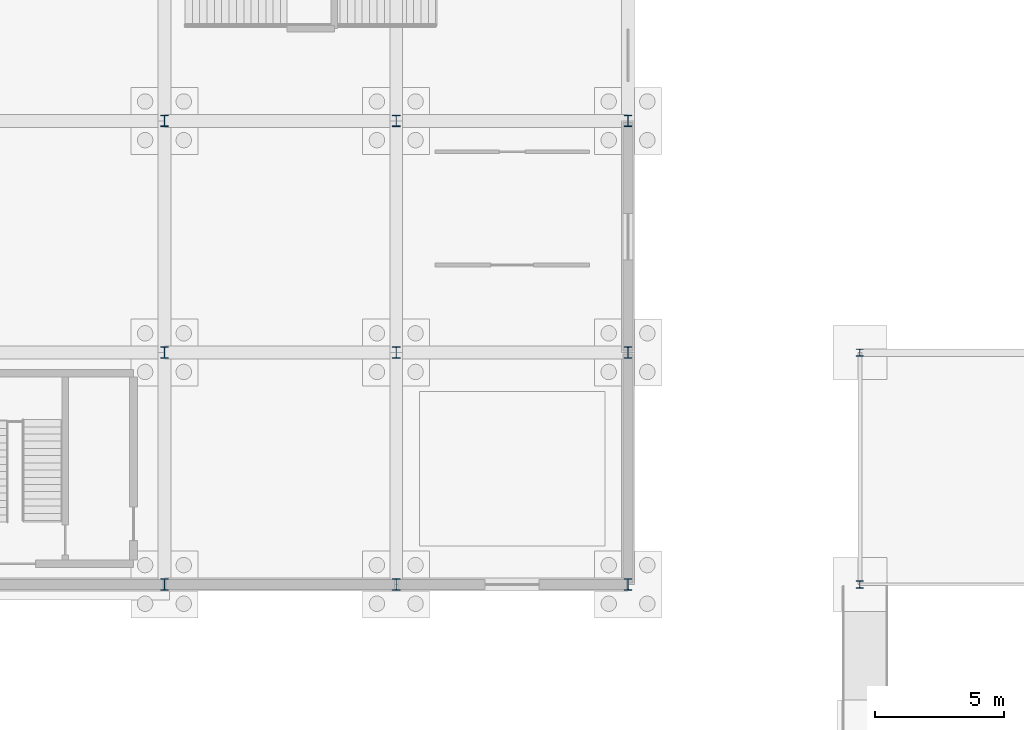
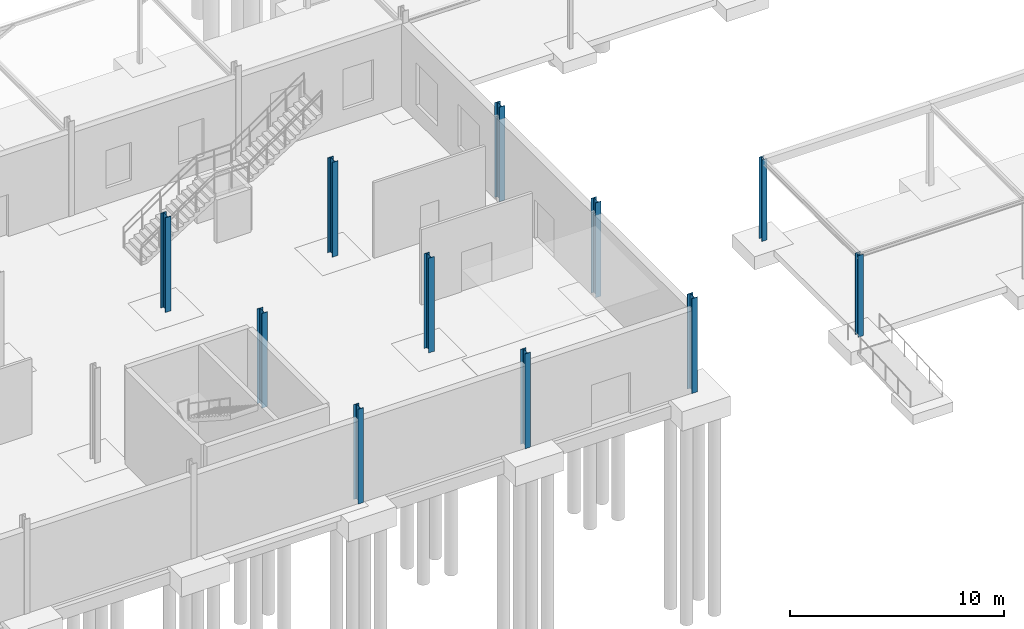
# One storey, part 18 of 118: 11 columns.
"""IFC4 building model written with IfcOpenShell, lengths in metres."""

from ifc_helpers import new_model, si_unit, direction, frame, origin, origin_2d, place, context, subcontext, project, spatial, i_section, extrude, material, material_profile, profile_set, type_object, element, save


model = new_model("IFC4")

# Units and contexts
model_context = context("Model", 3, precision=1e-05, world=origin(), true_north=direction((0.0, 1.0)))
body_context = subcontext(model_context, "Body", "Model", "MODEL_VIEW")
ifc_project = project(units=[si_unit("LENGTHUNIT", "METRE"), si_unit("AREAUNIT", "SQUARE_METRE"), si_unit("VOLUMEUNIT", "CUBIC_METRE"), si_unit("PLANEANGLEUNIT", "RADIAN"), si_unit("MASSUNIT", "GRAM", prefix="KILO")], contexts=[model_context])

# Site, building, storey
site_placement = place(None, origin())
site = spatial("IfcSite", under=ifc_project, at=site_placement, CompositionType="ELEMENT")
building_placement = place(site_placement, origin())
building = spatial("IfcBuilding", under=site, at=building_placement, Name="Kildeholm Park Wholesale Market", CompositionType="ELEMENT")
storey_placement = place(building_placement, origin())
storey = spatial("IfcBuildingStorey", under=building, at=storey_placement, Name="L00", CompositionType="ELEMENT", Elevation=0.0)

# Columns
ifc_material = material(Name="Steel S355", Category="steel")
ifc_material_profile_1 = material_profile(ifc_material, i_section(OverallWidth=0.280029296875, OverallDepth=0.280029296875, WebThickness=0.010498046875, FlangeThickness=0.01806640625, FilletRadius=0.02392578125, at=origin_2d()), Name="HEB 280")
ifc_profile_set_1 = profile_set([ifc_material_profile_1], Name="Steel S355")
column_type_1 = type_object("IfcColumnType", Name="Column C-S02 HEB 280", PredefinedType="COLUMN", material=ifc_profile_set_1)
for number, where, z_axis, x_axis, name in (
    (1, (90.0, 0.0, 0.0), (0.0, 0.0, 1.0), (1.0, 0.0, 0.0), "Entrance canopy column 090-000 COL-0904"),
    (2, (90.0, 9.0, 0.0), (0.0, 0.0, 1.0), (1.0, 0.0, 0.0), "Entrance canopy column 090-009 COL-0905"),
):
    element("IfcColumn", number, at=place(storey_placement, frame(where, z_axis=z_axis, x_axis=x_axis)), inside=storey, type_object=column_type_1, Name=name, PredefinedType="COLUMN", context=body_context, shape_type="SweptSolid", body=[
        extrude(i_section(OverallWidth=0.280029296875, OverallDepth=0.280029296875, WebThickness=0.010498046875, FlangeThickness=0.01806640625, FilletRadius=0.02392578125, at=origin_2d()), origin(), (0.0, 0.0, 1.0), 4.639892578125),
    ])
ifc_material_profile_2 = material_profile(ifc_material, i_section(OverallWidth=0.300048828125, OverallDepth=0.449951171875, WebThickness=0.013916015625, FlangeThickness=0.02587890625, FilletRadius=0.027099609375, at=origin_2d()), Name="HEB 450")
ifc_profile_set_2 = profile_set([ifc_material_profile_2], Name="Steel S355")
column_type_2 = type_object("IfcColumnType", Name="Column C-S06 HEB 450", PredefinedType="COLUMN", material=ifc_profile_set_2)
for number, where, z_axis, x_axis, name in (
    (3, (63.0, 0.0, 0.0), (0.0, 0.0, 1.0), (1.0, 0.0, 0.0), "Column V5W-063-000 L00 COL-0721"),
    (4, (63.0, 9.0, 0.0), (0.0, 0.0, 1.0), (1.0, 0.0, 0.0), "Column V5W-063-009 L00 COL-0725"),
    (5, (63.0, 18.0, 0.0), (0.0, 0.0, 1.0), (1.0, 0.0, 0.0), "Column V5W-063-018 L00 COL-0729"),
    (6, (72.0, 0.0, 0.0), (0.0, 0.0, 1.0), (1.0, 0.0, 0.0), "Column V5W-072-000 L00 COL-0735"),
    (7, (72.0, 9.0, 0.0), (0.0, 0.0, 1.0), (1.0, 0.0, 0.0), "Column V5W-072-009 L00 COL-0739"),
    (8, (72.0, 18.0, 0.0), (0.0, 0.0, 1.0), (1.0, 0.0, 0.0), "Column V5W-072-018 L00 COL-0743"),
    (9, (81.0, 0.0, 0.0), (0.0, 0.0, 1.0), (1.0, 0.0, 0.0), "Column V5W-081-000 L00 COL-0749"),
    (10, (81.0, 9.0, 0.0), (0.0, 0.0, 1.0), (1.0, 0.0, 0.0), "Column V5W-081-009 L00 COL-0752"),
    (11, (81.0, 18.0, 0.0), (0.0, 0.0, 1.0), (1.0, 0.0, 0.0), "Column V5W-081-018 L00 COL-0755"),
):
    element("IfcColumn", number, at=place(storey_placement, frame(where, z_axis=z_axis, x_axis=x_axis)), inside=storey, type_object=column_type_2, Name=name, PredefinedType="COLUMN", context=body_context, shape_type="SweptSolid", body=[
        extrude(i_section(OverallWidth=0.300048828125, OverallDepth=0.449951171875, WebThickness=0.013916015625, FlangeThickness=0.02587890625, FilletRadius=0.027099609375, at=origin_2d()), origin(), (0.0, 0.0, 1.0), 5.39990234375),
    ])

save(model, "model.ifc")
